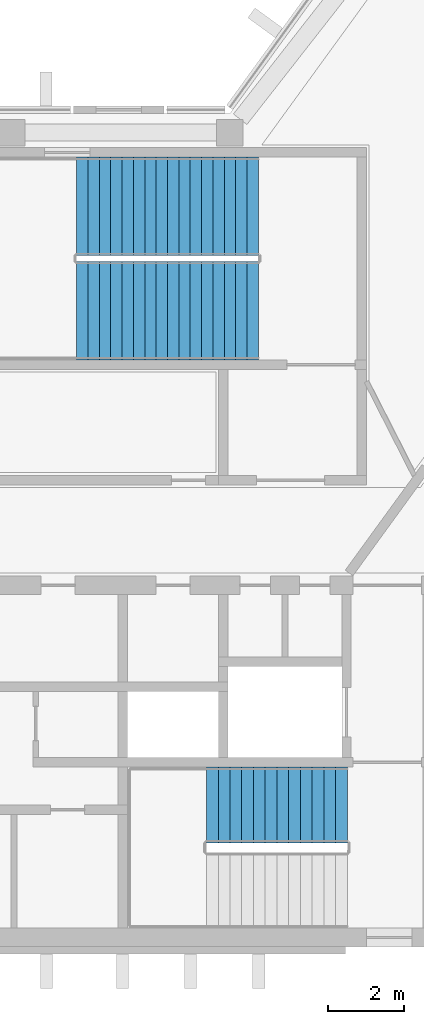
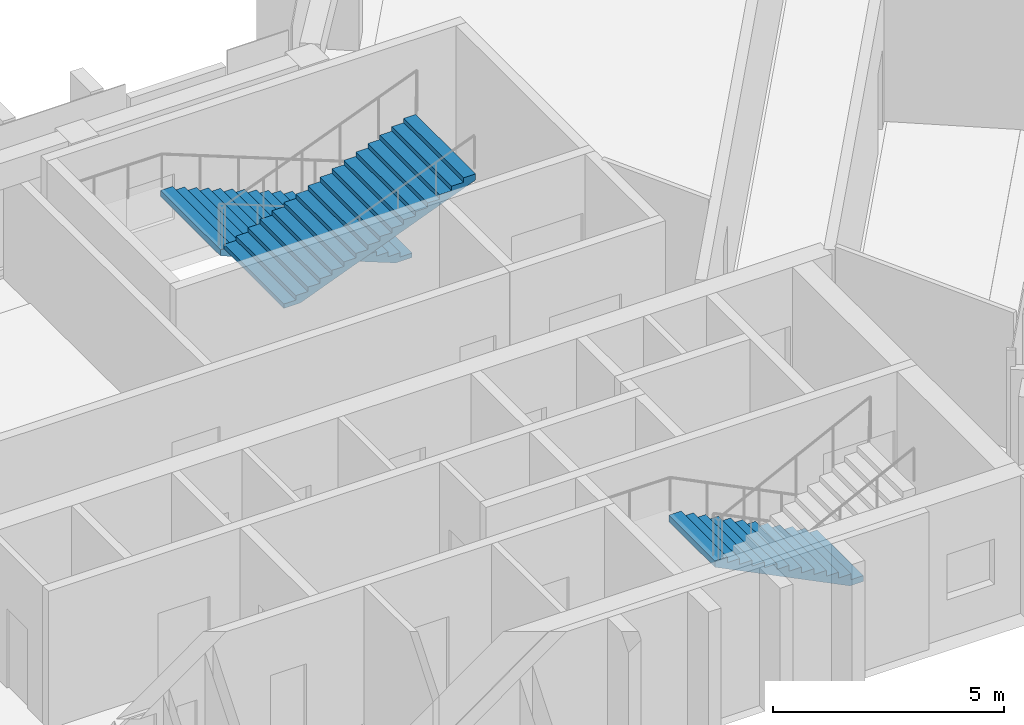
# One storey, part 9 of 11: 3 stair flights, 2 elements without a shape of their own.
"""IFC4 building model written with IfcOpenShell, lengths in metres."""

from ifc_helpers import new_model, si_unit, direction, frame, origin, place, context, subcontext, project, spatial, polyline, outline, extrude, material, type_object, element, aggregate, save


model = new_model("IFC4")

# Units and contexts
model_context = context("Model", 3, precision=1e-05, world=origin(), true_north=direction((0.0, 1.0)))
body_context = subcontext(model_context, "Body", "Model", "MODEL_VIEW")
ifc_project = project(units=[si_unit("LENGTHUNIT", "METRE"), si_unit("AREAUNIT", "SQUARE_METRE"), si_unit("VOLUMEUNIT", "CUBIC_METRE"), si_unit("PLANEANGLEUNIT", "RADIAN"), si_unit("MASSUNIT", "GRAM", prefix="KILO")], contexts=[model_context])

# Site, building, storey
site_placement = place(None, origin())
site = spatial("IfcSite", under=ifc_project, at=site_placement, CompositionType="ELEMENT")
building_placement = place(site_placement, origin())
building = spatial("IfcBuilding", under=site, at=building_placement, Name="Quipu Civic Tower", CompositionType="ELEMENT")
storey_placement = place(building_placement, frame((0.0, 0.0, 319.0)))
storey = spatial("IfcBuildingStorey", under=building, at=storey_placement, Name="L74", CompositionType="ELEMENT", Elevation=319.0)

# Stair, stair flight
ifc_material_1 = material(Name="Concrete C40/50", Category="concrete")
stair_type_1 = type_object("IfcStairType", Name="Half turn stair 2000", PredefinedType="HALF_TURN_STAIR", material=ifc_material_1)
stair_1_placement = place(storey_placement, origin())
stair_1 = element("IfcStair", 1, at=stair_1_placement, inside=storey, type_object=stair_type_1, Name="Exit stair 2", PredefinedType="HALF_TURN_STAIR")
ifc_material_2 = material(Name="Concrete C40/50", Category="concrete")
stair_flight_type_1 = type_object("IfcStairFlightType", Name="Stair flight 2000", PredefinedType="STRAIGHT", material=ifc_material_2)
stair_flight_1_placement = place(storey_placement, frame((17.5, -7.25, 0.0), z_axis=(0.0, 0.0, 1.0), x_axis=(-1.0, 0.0, 0.0)))
stair_flight_1 = element("IfcStairFlight", 2, at=stair_flight_1_placement, type_object=stair_flight_type_1, Name="ST-2 flight 1", NumberOfRisers=13, NumberOfTreads=12, PredefinedType="STRAIGHT", RiserHeight=0.153846154, TreadLength=0.31, context=body_context, shape_type="SweptSolid", body=[
    extrude(outline(polyline([(0.0, 0.0), (0.0, 0.15380859375), (0.31005859375, 0.15380859375), (0.31005859375, 0.3076171875), (0.6201171875, 0.3076171875), (0.6201171875, 0.46142578125), (0.929931640625, 0.46142578125), (0.929931640625, 0.615478515625), (1.239990234375, 0.615478515625), (1.239990234375, 0.769287109375), (1.550048828125, 0.769287109375), (1.550048828125, 0.923095703125), (1.860107421875, 0.923095703125), (1.860107421875, 1.076904296875), (2.169921875, 1.076904296875), (2.169921875, 1.230712890625), (2.47998046875, 1.230712890625), (2.47998046875, 1.384521484375), (2.7900390625, 1.384521484375), (2.7900390625, 1.53857421875), (3.10009765625, 1.53857421875), (3.10009765625, 1.6923828125), (3.409912109375, 1.6923828125), (3.409912109375, 1.84619140625), (3.719970703125, 1.84619140625), (3.719970703125, 2.0), (3.719970703125, 1.6787109375), (0.337158203125, 0.0), (0.0, 0.0)])), frame((0.0, 1.0, 0.0), z_axis=(0.0, -1.0, 0.0), x_axis=(1.0, 0.0, 0.0)), (0.0, 0.0, 1.0), 2.0),
])
aggregate(stair_1, [stair_flight_1])

# Stair, stair flights
ifc_material_3 = material(Name="Concrete C40/50", Category="concrete")
stair_type_2 = type_object("IfcStairType", Name="Half turn stair 2600", PredefinedType="HALF_TURN_STAIR", material=ifc_material_3)
stair_2_placement = place(storey_placement, origin())
stair_2 = element("IfcStair", 3, at=stair_2_placement, inside=storey, type_object=stair_type_2, Name="Exit stair 4", PredefinedType="HALF_TURN_STAIR")
ifc_material_4 = material(Name="Concrete C40/50", Category="concrete")
stair_flight_type_2 = type_object("IfcStairFlightType", Name="Stair flight 2600", PredefinedType="STRAIGHT", material=ifc_material_4)
stair_flight_2_placement = place(storey_placement, frame((15.14990234375, 8.550048828125, 0.0), z_axis=(0.0, 0.0, 1.0), x_axis=(-1.0, 0.0, 0.0)))
stair_flight_2 = element("IfcStairFlight", 4, at=stair_flight_2_placement, type_object=stair_flight_type_2, Name="ST-4 flight 1", NumberOfRisers=17, NumberOfTreads=16, PredefinedType="STRAIGHT", RiserHeight=0.117647059, TreadLength=0.3, context=body_context, shape_type="SweptSolid", body=[
    extrude(outline(polyline([(0.0, 0.0), (0.0, 0.11767578125), (0.300048828125, 0.11767578125), (0.300048828125, 0.2353515625), (0.60009765625, 0.2353515625), (0.60009765625, 0.35302734375), (0.89990234375, 0.35302734375), (0.89990234375, 0.470703125), (1.199951171875, 0.470703125), (1.199951171875, 0.588134765625), (1.5, 0.588134765625), (1.5, 0.705810546875), (1.800048828125, 0.705810546875), (1.800048828125, 0.823486328125), (2.10009765625, 0.823486328125), (2.10009765625, 0.941162109375), (2.39990234375, 0.941162109375), (2.39990234375, 1.058837890625), (2.699951171875, 1.058837890625), (2.699951171875, 1.176513671875), (3.0, 1.176513671875), (3.0, 1.294189453125), (3.300048828125, 1.294189453125), (3.300048828125, 1.411865234375), (3.60009765625, 1.411865234375), (3.60009765625, 1.529296875), (3.89990234375, 1.529296875), (3.89990234375, 1.64697265625), (4.199951171875, 1.64697265625), (4.199951171875, 1.7646484375), (4.5, 1.7646484375), (4.5, 1.88232421875), (4.800048828125, 1.88232421875), (4.800048828125, 2.0), (4.800048828125, 1.721435546875), (0.41064453125, 0.0), (0.0, 0.0)])), frame((0.0, 1.300048828125, 0.0), z_axis=(0.0, -1.0, 0.0), x_axis=(1.0, 0.0, 0.0)), (0.0, 0.0, 1.0), 2.60009765625),
])
stair_flight_3_placement = place(storey_placement, frame((10.35009765625, 5.800048828125, 2.0), z_axis=(0.0, 0.0, 1.0), x_axis=(1.0, 0.0, 0.0)))
stair_flight_3 = element("IfcStairFlight", 5, at=stair_flight_3_placement, type_object=stair_flight_type_2, Name="ST-4 flight 2", NumberOfRisers=17, NumberOfTreads=16, PredefinedType="STRAIGHT", RiserHeight=0.117647059, TreadLength=0.3, context=body_context, shape_type="SweptSolid", body=[
    extrude(outline(polyline([(0.0, 0.0), (0.0, 0.11767578125), (0.300048828125, 0.11767578125), (0.300048828125, 0.2353515625), (0.60009765625, 0.2353515625), (0.60009765625, 0.35302734375), (0.89990234375, 0.35302734375), (0.89990234375, 0.470703125), (1.199951171875, 0.470703125), (1.199951171875, 0.588134765625), (1.5, 0.588134765625), (1.5, 0.705810546875), (1.800048828125, 0.705810546875), (1.800048828125, 0.823486328125), (2.10009765625, 0.823486328125), (2.10009765625, 0.941162109375), (2.39990234375, 0.941162109375), (2.39990234375, 1.058837890625), (2.699951171875, 1.058837890625), (2.699951171875, 1.176513671875), (3.0, 1.176513671875), (3.0, 1.294189453125), (3.300048828125, 1.294189453125), (3.300048828125, 1.411865234375), (3.60009765625, 1.411865234375), (3.60009765625, 1.529296875), (3.89990234375, 1.529296875), (3.89990234375, 1.64697265625), (4.199951171875, 1.64697265625), (4.199951171875, 1.7646484375), (4.5, 1.7646484375), (4.5, 1.88232421875), (4.800048828125, 1.88232421875), (4.800048828125, 2.0), (4.800048828125, 1.721435546875), (0.41064453125, 0.0), (0.0, 0.0)])), frame((0.0, 1.300048828125, 0.0), z_axis=(0.0, -1.0, 0.0), x_axis=(1.0, 0.0, 0.0)), (0.0, 0.0, 1.0), 2.60009765625),
])
aggregate(stair_2, [stair_flight_2, stair_flight_3])

save(model, "model.ifc")
